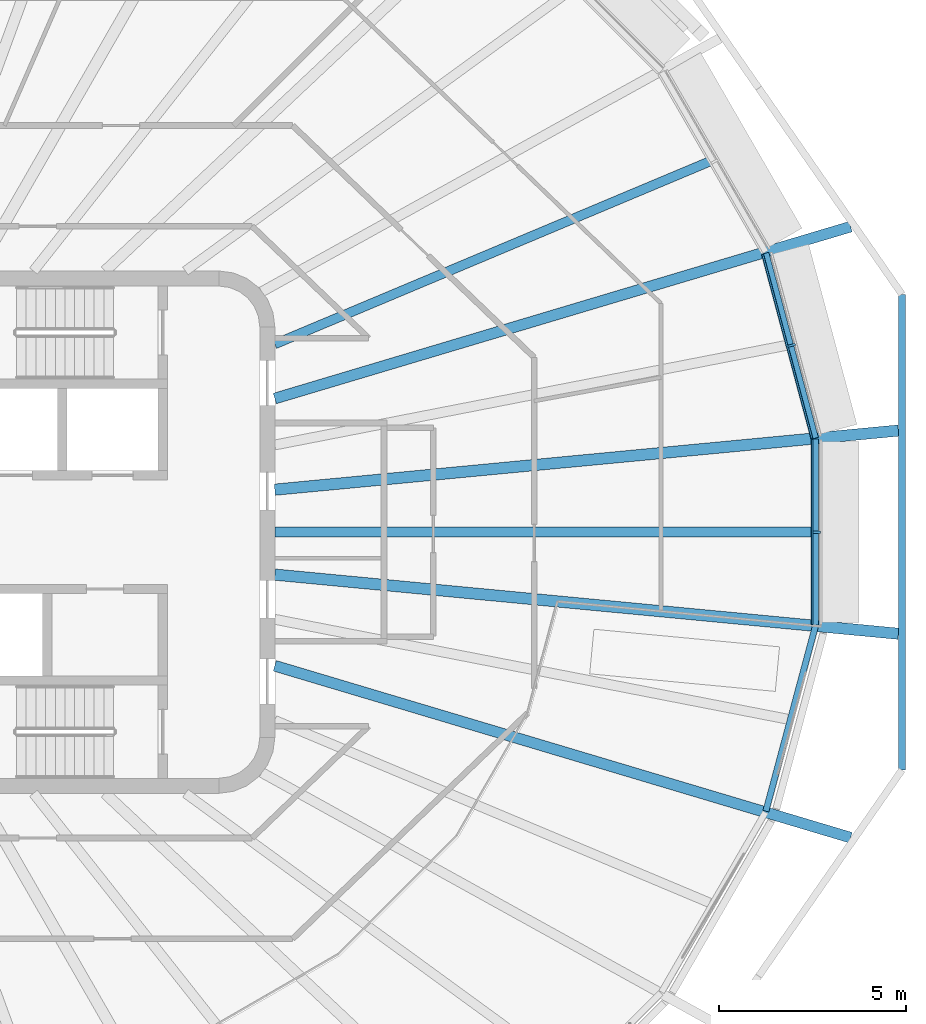
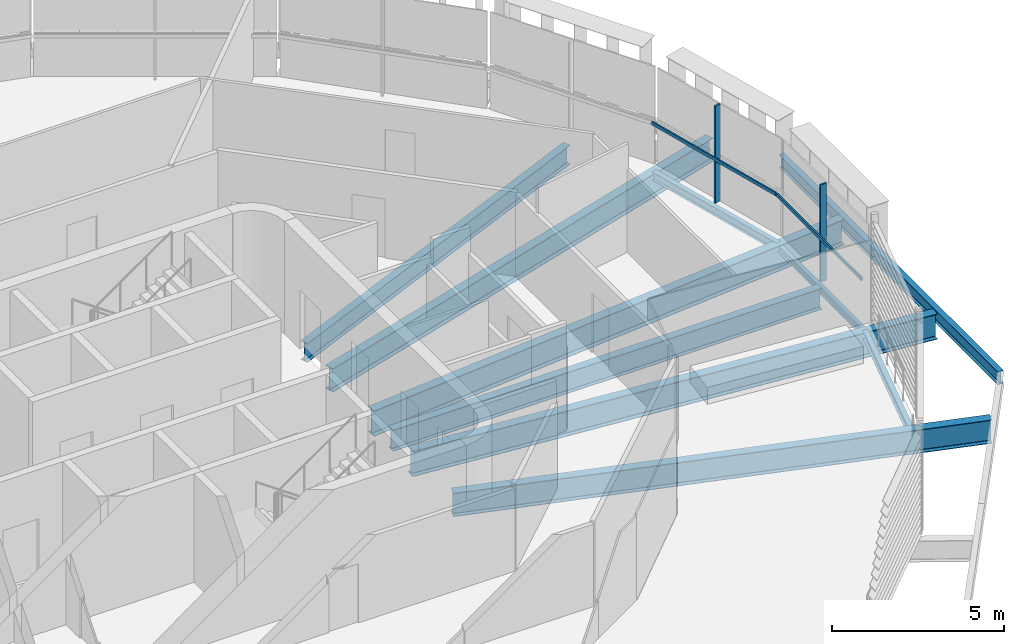
# One storey, part 5 of 21: 10 beams, 4 members, 2 elements without a shape of their own.
"""IFC4 building model written with IfcOpenShell, lengths in metres."""

from ifc_helpers import new_model, si_unit, direction, frame, origin, origin_2d, place, context, subcontext, project, spatial, rectangle, i_section, extrude, material, layer, layer_set, material_profile, profile_set, type_object, element, aggregate, save


model = new_model("IFC4")

# Units and contexts
model_context = context("Model", 3, precision=1e-05, world=origin(), true_north=direction((0.0, 1.0)))
body_context = subcontext(model_context, "Body", "Model", "MODEL_VIEW")
ifc_project = project(units=[si_unit("LENGTHUNIT", "METRE"), si_unit("AREAUNIT", "SQUARE_METRE"), si_unit("VOLUMEUNIT", "CUBIC_METRE"), si_unit("PLANEANGLEUNIT", "RADIAN"), si_unit("MASSUNIT", "GRAM", prefix="KILO")], contexts=[model_context])

# Site, building, storey
site_placement = place(None, origin())
site = spatial("IfcSite", under=ifc_project, at=site_placement, CompositionType="ELEMENT")
building_placement = place(site_placement, origin())
building = spatial("IfcBuilding", under=site, at=building_placement, Name="Sahrelin Media Tower", CompositionType="ELEMENT")
storey_placement = place(building_placement, frame((0.0, 0.0, 304.39990234375)))
storey = spatial("IfcBuildingStorey", under=building, at=storey_placement, Name="L67", CompositionType="ELEMENT", Elevation=304.39990234375)

# Beams
ifc_material_1 = material(Name="Steel S355", Category="steel")
ifc_material_profile_1 = material_profile(ifc_material_1, i_section(OverallWidth=0.14599609375, OverallDepth=0.25146484375, WebThickness=0.006103515625, FlangeThickness=0.008544921875, FilletRadius=0.007568359375, at=origin_2d()), Name="UB 254x146x31")
ifc_profile_set_1 = profile_set([ifc_material_profile_1], Name="Steel S355")
beam_type_1 = type_object("IfcBeamType", Name="Edge beam EB1", PredefinedType="BEAM", material=ifc_profile_set_1)
beam_1_placement = place(storey_placement, frame((26.49365234375, 2.492919921875, -0.32568359375), z_axis=(0.0, -1.0, 0.0), x_axis=(1.0, 0.0, 0.0)))
element("IfcBeam", 1, at=beam_1_placement, inside=storey, type_object=beam_type_1, Name="Edge beam L67-01", PredefinedType="BEAM", context=body_context, shape_type="SweptSolid", body=[
    extrude(i_section(OverallWidth=0.14599609375, OverallDepth=0.25146484375, WebThickness=0.006103515625, FlangeThickness=0.008544921875, FilletRadius=0.007568359375, at=origin_2d()), origin(), (0.0, 0.0, 1.0), 4.98583984375),
])
ifc_material_profile_2 = material_profile(ifc_material_1, i_section(OverallWidth=0.1650390625, OverallDepth=0.303466796875, WebThickness=0.006103515625, FlangeThickness=0.01025390625, FilletRadius=0.0087890625, at=origin_2d()), Name="UB 305x165x40")
ifc_profile_set_2 = profile_set([ifc_material_profile_2], Name="Steel S355")
beam_type_2 = type_object("IfcBeamType", Name="Edge beam EB2", PredefinedType="BEAM", material=ifc_profile_set_2)
for number, where, z_axis, x_axis, name in (
    (2, (26.489990234375, -2.521484375, -0.3515625), (-0.258808205251, -0.965928730753, 0.0), (0.965928730753, -0.258808205251, 0.0), "Edge beam L67-02"),
    (3, (25.16162109375, 7.479248046875, -0.301513671875), (0.258808205251, -0.965928730753, 0.0), (0.965928730753, 0.258808205251, 0.0), "Edge beam L67-24"),
):
    element("IfcBeam", number, at=place(storey_placement, frame(where, z_axis=z_axis, x_axis=x_axis)), inside=storey, type_object=beam_type_2, Name=name, PredefinedType="BEAM", context=body_context, shape_type="SweptSolid", body=[
        extrude(i_section(OverallWidth=0.1650390625, OverallDepth=0.303466796875, WebThickness=0.006103515625, FlangeThickness=0.01025390625, FilletRadius=0.0087890625, at=origin_2d()), origin(), (0.0, 0.0, 1.0), 5.132568359375),
    ])

# Curtain wall, member
ifc_material_2 = material(Name="Champagne anodised aluminium 6063-T6", Category="aluminium")
ifc_layer = layer(ifc_material_2, 0.14990234375)
ifc_layer_set = layer_set([ifc_layer], Name="Tower ribbon curtain wall")
curtain_wall_type = type_object("IfcCurtainWallType", Name="Tower ribbon curtain wall", PredefinedType="NOTDEFINED", material=ifc_layer_set)
curtain_wall_1_placement = place(storey_placement, frame((26.643798828125, 0.0, 0.0), z_axis=(0.0, 0.0, 1.0), x_axis=(1.0, 0.0, 0.0)))
curtain_wall_1 = element("IfcCurtainWall", 4, at=curtain_wall_1_placement, inside=storey, type_object=curtain_wall_type, Name="L67:CW:L67-00", PredefinedType="NOTDEFINED")
ifc_material_profile_3 = material_profile(ifc_material_2, rectangle(XDim=0.06005859375, YDim=0.199951171875, at=origin_2d()), Name="Mullion 60x200")
ifc_profile_set_3 = profile_set([ifc_material_profile_3], Name="Champagne anodised aluminium 6063-T6")
member_type_1 = type_object("IfcMemberType", Name="Mullion 60x200 CW1C", PredefinedType="MULLION", material=ifc_profile_set_3)
member_1_placement = place(storey_placement, frame((26.523681640625, 0.0, 0.0), z_axis=(0.0, 0.0, 1.0), x_axis=(0.0, 1.0, 0.0)))
member_1 = element("IfcMember", 5, at=member_1_placement, type_object=member_type_1, Name="L67:CWM:L67-00", PredefinedType="MULLION", context=body_context, shape_type="SweptSolid", body=[
    extrude(rectangle(XDim=0.06005859375, YDim=0.199951171875, at=origin_2d()), origin(), (0.0, 0.0, 1.0), 3.44873046875),
])

curtain_wall_2_placement = place(storey_placement, frame((25.970703125, 5.039306640625, 0.0), z_axis=(0.0, 0.0, 1.0), x_axis=(1.0, 0.0, 0.0)))
curtain_wall_2 = element("IfcCurtainWall", 6, at=curtain_wall_2_placement, inside=storey, type_object=curtain_wall_type, Name="L67:CW:L67-01", PredefinedType="NOTDEFINED")
member_2_placement = place(storey_placement, frame((25.854736328125, 5.008056640625, 0.0), z_axis=(0.0, 0.0, 1.0), x_axis=(-0.258815673384, 0.965926729732, 0.0)))
member_2 = element("IfcMember", 7, at=member_2_placement, type_object=member_type_1, Name="L67:CWM:L67-01", PredefinedType="MULLION", context=body_context, shape_type="SweptSolid", body=[
    extrude(rectangle(XDim=0.06005859375, YDim=0.199951171875, at=origin_2d()), origin(), (0.0, 0.0, 1.0), 3.44873046875),
])

# Beams
ifc_material_profile_4 = material_profile(ifc_material_1, i_section(OverallWidth=0.291748046875, OverallDepth=0.8349609375, WebThickness=0.013916015625, FlangeThickness=0.018798828125, FilletRadius=0.017822265625, at=origin_2d()), Name="UB 838x292x176")
ifc_profile_set_4 = profile_set([ifc_material_profile_4], Name="Steel S355")
beam_type_3 = type_object("IfcBeamType", Name="Radial primary beam PB10", PredefinedType="BEAM", material=ifc_profile_set_4)
for number, where, z_axis, x_axis, name in (
    (8, (12.0, 3.581787109375, -0.5673828125), (0.958222547909, 0.286023685521, 0.0), (-0.286023685521, 0.958222547909, 0.0), "Radial beam L67-02"),
    (9, (12.0, -3.581787109375, -0.6171875), (0.958222547909, -0.286023685521, 0.0), (0.286023685521, 0.958222547909, 0.0), "Radial beam L67-23"),
):
    element("IfcBeam", number, at=place(storey_placement, frame(where, z_axis=z_axis, x_axis=x_axis)), inside=storey, type_object=beam_type_3, Name=name, PredefinedType="BEAM", context=body_context, shape_type="SweptSolid", body=[
        extrude(i_section(OverallWidth=0.291748046875, OverallDepth=0.8349609375, WebThickness=0.013916015625, FlangeThickness=0.018798828125, FilletRadius=0.017822265625, at=origin_2d()), origin(), (0.0, 0.0, 1.0), 16.10595703125),
    ])
ifc_material_profile_5 = material_profile(ifc_material_1, i_section(OverallWidth=0.30322265625, OverallDepth=0.903076171875, WebThickness=0.01513671875, FlangeThickness=0.020263671875, FilletRadius=0.01904296875, at=origin_2d()), Name="UB 914x305x201")
ifc_profile_set_5 = profile_set([ifc_material_profile_5], Name="Steel S355")
beam_type_4 = type_object("IfcBeamType", Name="Radial primary beam PB11", PredefinedType="BEAM", material=ifc_profile_set_5)
for number, where, z_axis, x_axis, name in (
    (10, (12.0, 1.13818359375, -0.601318359375), (0.995531475678, 0.094430296701, 0.0), (-0.094430296701, 0.995531475678, 0.0), "Radial beam L67-01"),
    (11, (12.0, -1.13818359375, -0.6513671875), (0.995531475678, -0.094430296701, 0.0), (0.094430296701, 0.995531475678, 0.0), "Radial beam L67-24"),
):
    element("IfcBeam", number, at=place(storey_placement, frame(where, z_axis=z_axis, x_axis=x_axis)), inside=storey, type_object=beam_type_4, Name=name, PredefinedType="BEAM", context=body_context, shape_type="SweptSolid", body=[
        extrude(i_section(OverallWidth=0.30322265625, OverallDepth=0.903076171875, WebThickness=0.01513671875, FlangeThickness=0.020263671875, FilletRadius=0.01904296875, at=origin_2d()), origin(), (0.0, 0.0, 1.0), 16.78955078125),
    ])
ifc_material_profile_6 = material_profile(ifc_material_1, i_section(OverallWidth=0.2529296875, OverallDepth=0.677978515625, WebThickness=0.01171875, FlangeThickness=0.01611328125, FilletRadius=0.01513671875, at=origin_2d()), Name="UB 686x254x125")
ifc_profile_set_6 = profile_set([ifc_material_profile_6], Name="Steel S355")
beam_type_5 = type_object("IfcBeamType", Name="Radial secondary beam SB8", PredefinedType="BEAM", material=ifc_profile_set_6)
beam_2_placement = place(storey_placement, frame((12.0, 5.04052734375, -0.489013671875), z_axis=(0.921969553499, 0.38726236897, 0.0), x_axis=(-0.38726236897, 0.921969553499, 0.0)))
element("IfcBeam", 12, at=beam_2_placement, inside=storey, type_object=beam_type_5, Name="Secondary beam L67-02", PredefinedType="BEAM", context=body_context, shape_type="SweptSolid", body=[
    extrude(i_section(OverallWidth=0.2529296875, OverallDepth=0.677978515625, WebThickness=0.01171875, FlangeThickness=0.01611328125, FilletRadius=0.01513671875, at=origin_2d()), origin(), (0.0, 0.0, 1.0), 12.638916015625),
])
ifc_material_profile_7 = material_profile(ifc_material_1, i_section(OverallWidth=0.26513671875, OverallDepth=0.75390625, WebThickness=0.0126953125, FlangeThickness=0.017578125, FilletRadius=0.0166015625, at=origin_2d()), Name="UB 762x267x147")
ifc_profile_set_7 = profile_set([ifc_material_profile_7], Name="Steel S355")
beam_type_6 = type_object("IfcBeamType", Name="Radial secondary beam SB9", PredefinedType="BEAM", material=ifc_profile_set_7)
beam_3_placement = place(storey_placement, frame((12.0, 0.0, -0.52685546875), z_axis=(1.0, 0.0, 0.0), x_axis=(0.0, 1.0, 0.0)))
element("IfcBeam", 13, at=beam_3_placement, inside=storey, type_object=beam_type_6, Name="Secondary beam L67-24", PredefinedType="BEAM", context=body_context, shape_type="SweptSolid", body=[
    extrude(i_section(OverallWidth=0.26513671875, OverallDepth=0.75390625, WebThickness=0.0126953125, FlangeThickness=0.017578125, FilletRadius=0.0166015625, at=origin_2d()), origin(), (0.0, 0.0, 1.0), 14.420654296875),
])
ifc_material_profile_8 = material_profile(ifc_material_1, i_section(OverallWidth=0.1904296875, OverallDepth=0.45703125, WebThickness=0.009033203125, FlangeThickness=0.014404296875, FilletRadius=0.01025390625, at=origin_2d()), Name="UB 457x191x74")
ifc_profile_set_8 = profile_set([ifc_material_profile_8], Name="Steel S355")
beam_type_7 = type_object("IfcBeamType", Name="Tie chord TC5", PredefinedType="BEAM", material=ifc_profile_set_8)
beam_4_placement = place(storey_placement, frame((28.809814453125, 6.3740234375, -0.37841796875), z_axis=(0.0, -1.0, 0.0), x_axis=(1.0, 0.0, 0.0)))
element("IfcBeam", 14, at=beam_4_placement, inside=storey, type_object=beam_type_7, Name="Tie chord L67-01", PredefinedType="BEAM", context=body_context, shape_type="SweptSolid", body=[
    extrude(i_section(OverallWidth=0.1904296875, OverallDepth=0.45703125, WebThickness=0.009033203125, FlangeThickness=0.014404296875, FilletRadius=0.01025390625, at=origin_2d()), origin(), (0.0, 0.0, 1.0), 12.748046875),
])

# Member
ifc_material_profile_9 = material_profile(ifc_material_2, rectangle(XDim=0.050048828125, YDim=0.1201171875, at=origin_2d()), Name="Transom 50x120")
ifc_profile_set_9 = profile_set([ifc_material_profile_9], Name="Champagne anodised aluminium 6063-T6")
member_type_2 = type_object("IfcMemberType", Name="Transom 50x120 CW1C", PredefinedType="USERDEFINED", material=ifc_profile_set_9)
member_3_placement = place(storey_placement, frame((26.398681640625, -2.477294921875, 1.60009765625), z_axis=(0.0, 1.0, 0.0), x_axis=(-1.0, 0.0, 0.0)))
member_3 = element("IfcMember", 15, at=member_3_placement, type_object=member_type_2, Name="L67:CWT:L67-00", ObjectType="TRANSOM", PredefinedType="USERDEFINED", context=body_context, shape_type="SweptSolid", body=[
    extrude(rectangle(XDim=0.050048828125, YDim=0.1201171875, at=origin_2d()), origin(), (0.0, 0.0, 1.0), 4.95458984375),
])

aggregate(curtain_wall_1, [member_1, member_3])

member_4_placement = place(storey_placement, frame((26.39404296875, 2.51220703125, 1.60009765625), z_axis=(-0.258785526747, 0.965934806882, 0.0), x_axis=(-0.965934806882, -0.258785526747, 0.0)))
member_4 = element("IfcMember", 16, at=member_4_placement, type_object=member_type_2, Name="L67:CWT:L67-01", ObjectType="TRANSOM", PredefinedType="USERDEFINED", context=body_context, shape_type="SweptSolid", body=[
    extrude(rectangle(XDim=0.050048828125, YDim=0.1201171875, at=origin_2d()), origin(), (0.0, 0.0, 1.0), 5.10107421875),
])

aggregate(curtain_wall_2, [member_2, member_4])

save(model, "model.ifc")
